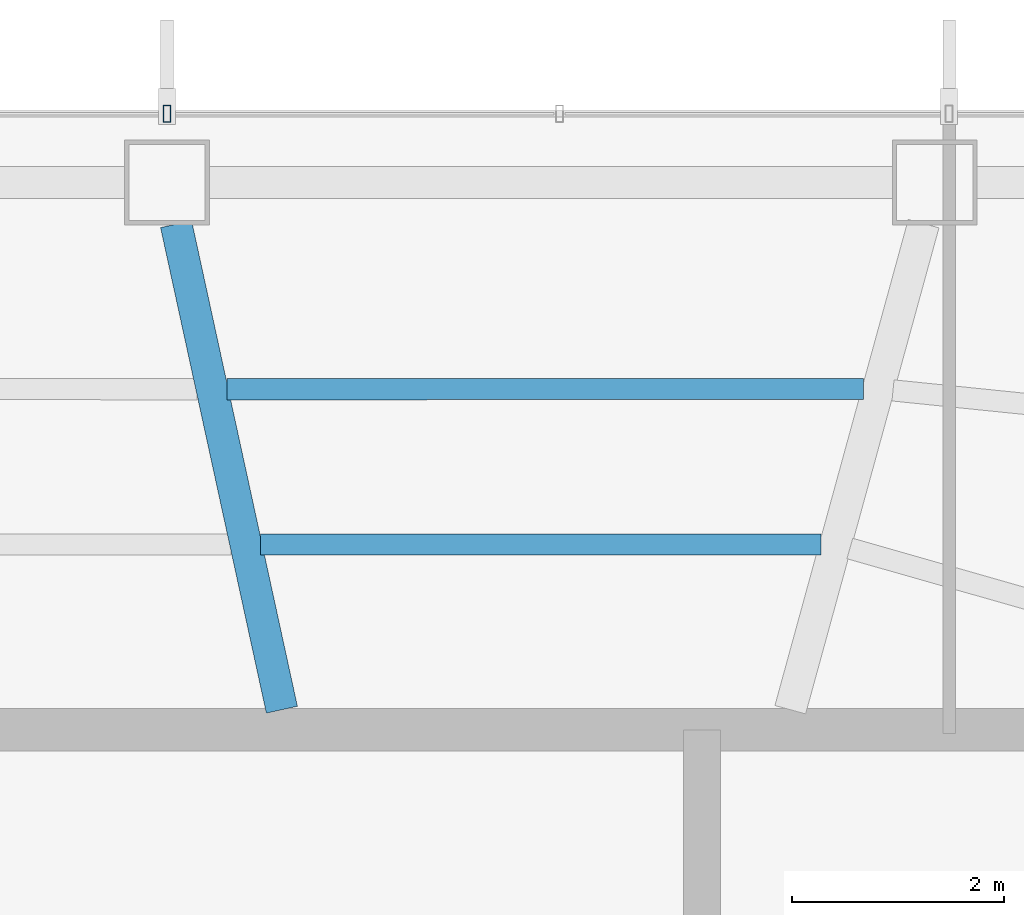
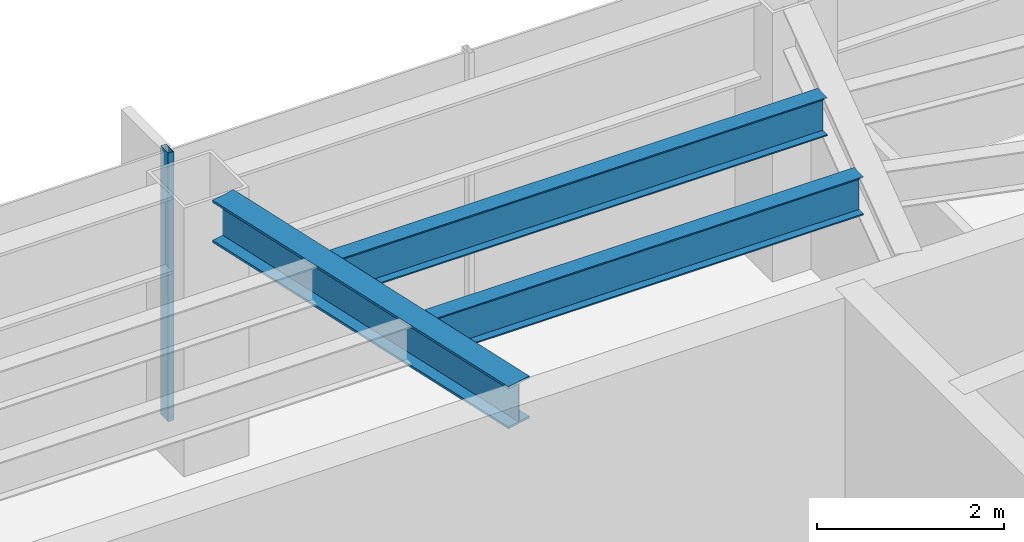
# One storey, part 13 of 28: 3 beams, 1 member, 1 element without a shape of its own.
"""IFC4 building model written with IfcOpenShell, lengths in metres."""

from ifc_helpers import new_model, si_unit, direction, frame, origin, origin_2d, place, context, subcontext, project, spatial, hollow_rectangle, i_section, extrude, material, layer, layer_set, material_profile, profile_set, type_object, element, aggregate, save


model = new_model("IFC4")

# Units and contexts
model_context = context("Model", 3, precision=1e-05, world=origin(), true_north=direction((0.0, 1.0)))
body_context = subcontext(model_context, "Body", "Model", "MODEL_VIEW")
ifc_project = project(units=[si_unit("LENGTHUNIT", "METRE"), si_unit("AREAUNIT", "SQUARE_METRE"), si_unit("VOLUMEUNIT", "CUBIC_METRE"), si_unit("PLANEANGLEUNIT", "RADIAN"), si_unit("MASSUNIT", "GRAM", prefix="KILO")], contexts=[model_context])

# Site, building, storey
site_placement = place(None, origin())
site = spatial("IfcSite", under=ifc_project, at=site_placement, CompositionType="ELEMENT")
building_placement = place(site_placement, origin())
building = spatial("IfcBuilding", under=site, at=building_placement, Name="Zarrinselat Tower", CompositionType="ELEMENT")
storey_placement = place(building_placement, frame((0.0, 0.0, 127.159912109375)))
storey = spatial("IfcBuildingStorey", under=building, at=storey_placement, Name="L30", CompositionType="ELEMENT", Elevation=127.159912109375)

# Beams
ifc_material_1 = material(Name="Steel S355J2", Category="steel")
ifc_material_profile_1 = material_profile(ifc_material_1, i_section(OverallWidth=0.300048828125, OverallDepth=0.550048828125, WebThickness=0.014892578125, FlangeThickness=0.029052734375, at=origin_2d()), Name="HEB 550")
ifc_profile_set_1 = profile_set([ifc_material_profile_1], Name="Steel S355J2")
beam_type_1 = type_object("IfcBeamType", Name="BM-HEB550", PredefinedType="BEAM", material=ifc_profile_set_1)
beam_1_placement = place(storey_placement, frame((40.001220703125, 48.223876953125, 3.22509765625), z_axis=(0.212889795797, -0.977076217521, 0.0), x_axis=(0.977076217521, 0.212889795797, 0.0)))
element("IfcBeam", 1, at=beam_1_placement, inside=storey, type_object=beam_type_1, Name="L30 Radial Primary Girder RG03", PredefinedType="BEAM", context=body_context, shape_type="SweptSolid", body=[
    extrude(i_section(OverallWidth=0.300048828125, OverallDepth=0.550048828125, WebThickness=0.014892578125, FlangeThickness=0.029052734375, at=origin_2d()), origin(), (0.0, 0.0, 1.0), 4.691650390625),
])
ifc_material_2 = material(Name="Steel S355J2", Category="steel")
ifc_material_profile_2 = material_profile(ifc_material_2, i_section(OverallWidth=0.199951171875, OverallDepth=0.5, WebThickness=0.01025390625, FlangeThickness=0.01611328125, at=origin_2d()), Name="IPE 500")
ifc_profile_set_2 = profile_set([ifc_material_profile_2], Name="Steel S355J2")
beam_type_2 = type_object("IfcBeamType", Name="BM-IPE500", PredefinedType="JOIST", material=ifc_profile_set_2)
beam_2_placement = place(storey_placement, frame((40.480712890625, 46.665283203125, 3.25), z_axis=(0.999999838283, 0.000568712586, 0.0), x_axis=(-0.000568712586, 0.999999838283, 0.0)))
element("IfcBeam", 2, at=beam_2_placement, inside=storey, type_object=beam_type_2, Name="L30 Composite Floor Joist 7-1", PredefinedType="JOIST", context=body_context, shape_type="SweptSolid", body=[
    extrude(i_section(OverallWidth=0.199951171875, OverallDepth=0.5, WebThickness=0.01025390625, FlangeThickness=0.01611328125, at=origin_2d()), origin(), (0.0, 0.0, 1.0), 6.010009765625),
])
beam_3_placement = place(storey_placement, frame((40.80029296875, 45.198486328125, 3.25), z_axis=(0.999999947769, 0.000323206189, 0.0), x_axis=(-0.000323206189, 0.999999947769, 0.0)))
element("IfcBeam", 3, at=beam_3_placement, inside=storey, type_object=beam_type_2, Name="L30 Composite Floor Joist 7-2", PredefinedType="JOIST", context=body_context, shape_type="SweptSolid", body=[
    extrude(i_section(OverallWidth=0.199951171875, OverallDepth=0.5, WebThickness=0.01025390625, FlangeThickness=0.01611328125, at=origin_2d()), origin(), (0.0, 0.0, 1.0), 5.28759765625),
])

# Curtain wall, member
ifc_material_3 = material(Name="Extruded Aluminium Alloy EN AW-6063 T6", Category="aluminium")
ifc_layer = layer(ifc_material_3, 0.175048828125)
ifc_layer_set = layer_set([ifc_layer], Name="Extruded Aluminium Alloy EN AW-6063 T6")
curtain_wall_type = type_object("IfcCurtainWallType", Name="CWS-HTL", PredefinedType="NOTDEFINED", material=ifc_layer_set)
curtain_wall_placement = place(storey_placement, origin())
curtain_wall = element("IfcCurtainWall", 4, at=curtain_wall_placement, inside=storey, type_object=curtain_wall_type, Name="L30 Unitised Curtain Wall CW-L30-E01", PredefinedType="NOTDEFINED")
ifc_material_4 = material(Name="Extruded Aluminium Alloy EN AW-6063 T6", Category="aluminium")
ifc_material_profile_3 = material_profile(ifc_material_4, hollow_rectangle(XDim=0.070068359375, YDim=0.159912109375, WallThickness=0.00390625, at=origin_2d()), Name="RHS 160x70x4")
ifc_profile_set_3 = profile_set([ifc_material_profile_3], Name="Extruded Aluminium Alloy EN AW-6063 T6")
member_type = type_object("IfcMemberType", Name="MEM-CW-MUL2", PredefinedType="MULLION", material=ifc_profile_set_3)
member_placement = place(storey_placement, frame((39.91552734375, 49.2666015625, 0.0), z_axis=(0.0, 0.0, 1.0), x_axis=(-1.0, 0.0, 0.0)))
member = element("IfcMember", 5, at=member_placement, type_object=member_type, Name="CW-L30-E01 Mullion 5", PredefinedType="MULLION", context=body_context, shape_type="SweptSolid", body=[
    extrude(hollow_rectangle(XDim=0.070068359375, YDim=0.159912109375, WallThickness=0.00390625, at=origin_2d()), origin(), (0.0, 0.0, 1.0), 3.5),
])
aggregate(curtain_wall, [member])

save(model, "model.ifc")
